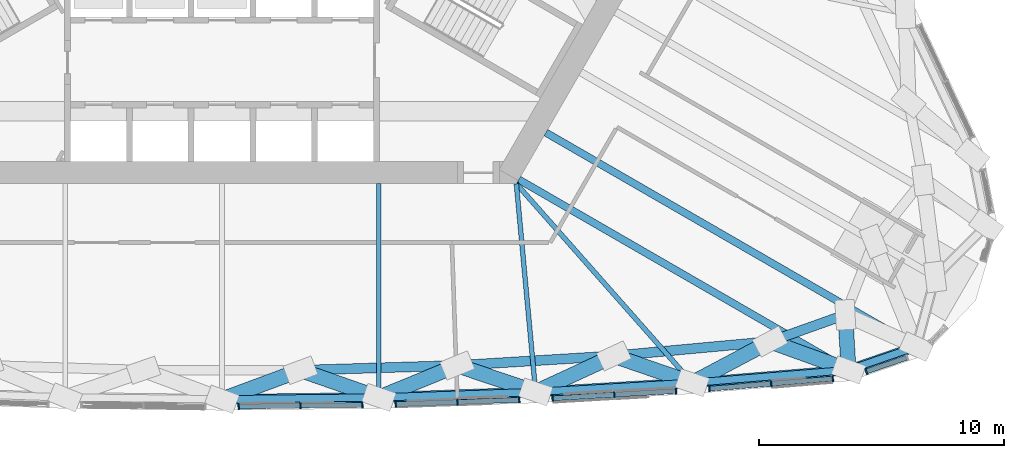
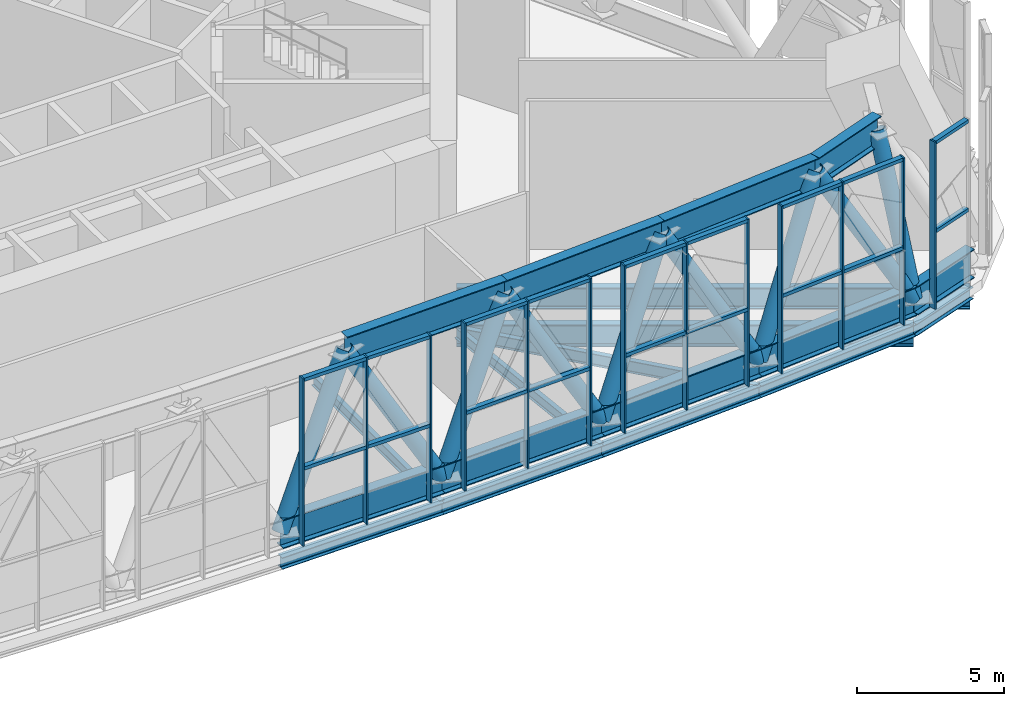
# One storey, part 5 of 33: 49 members, 10 beams, 2 elements without a shape of their own.
"""IFC4 building model written with IfcOpenShell, lengths in metres."""

from ifc_helpers import new_model, si_unit, direction, frame, origin, origin_2d, place, context, subcontext, project, spatial, rectangle, hollow_circle, i_section, extrude, material, material_profile, profile_set, type_object, element, aggregate, save


model = new_model("IFC4")

# Units and contexts
model_context = context("Model", 3, precision=1e-05, world=origin(), true_north=direction((0.0, 1.0)))
body_context = subcontext(model_context, "Body", "Model", "MODEL_VIEW")
ifc_project = project(units=[si_unit("LENGTHUNIT", "METRE"), si_unit("AREAUNIT", "SQUARE_METRE"), si_unit("VOLUMEUNIT", "CUBIC_METRE"), si_unit("PLANEANGLEUNIT", "RADIAN"), si_unit("MASSUNIT", "GRAM", prefix="KILO")], contexts=[model_context])

# Site, building, storey
site_placement = place(None, origin())
site = spatial("IfcSite", under=ifc_project, at=site_placement, CompositionType="ELEMENT")
building_placement = place(site_placement, origin())
building = spatial("IfcBuilding", under=site, at=building_placement, Name="Mestral Congress Tower", CompositionType="ELEMENT")
storey_placement = place(building_placement, frame((0.0, 0.0, 134.39990234375)))
storey = spatial("IfcBuildingStorey", under=building, at=storey_placement, Name="L32", CompositionType="ELEMENT", Elevation=134.39990234375)

# Members
ifc_material_1 = material(Name="Steel S355", Category="steel")
ifc_material_profile_1 = material_profile(ifc_material_1, i_section(OverallWidth=0.39990234375, OverallDepth=1.199951171875, WebThickness=0.02001953125, FlangeThickness=0.0400390625, FilletRadius=0.010009765625, at=origin_2d()), Name="WPG 1200")
ifc_profile_set_1 = profile_set([ifc_material_profile_1], Name="Steel S355")
member_type_1 = type_object("IfcMemberType", Name="Belt chord WPG 1200 S355", PredefinedType="CHORD", material=ifc_profile_set_1)
for number, where, z_axis, x_axis, name in (
    (1, (0.0, -21.793701171875, 0.60009765625), (0.999931419324, 0.011711389659, 0.0), (-0.011711389659, 0.999931419324, 0.0), "MB-L32-BC2-S04"),
    (2, (6.3994140625, -21.71875, 0.60009765625), (0.999385298652, 0.035057450548, 0.0), (-0.035057450548, 0.999385298652, 0.0), "MB-L32-BC2-S05"),
    (3, (12.79541015625, -21.494384765625, 0.60009765625), (0.998290777072, 0.058442488077, 0.0), (-0.058442488077, 0.998290777072, 0.0), "MB-L32-BC2-S06"),
    (4, (19.184326171875, -21.120361328125, 0.60009765625), (0.996652784164, 0.081751011118, 0.0), (-0.081751011118, 0.996652784164, 0.0), "MB-L32-BC2-S07"),
):
    element("IfcMember", number, at=place(storey_placement, frame(where, z_axis=z_axis, x_axis=x_axis)), inside=storey, type_object=member_type_1, Name=name, PredefinedType="CHORD", context=body_context, shape_type="SweptSolid", body=[
        extrude(i_section(OverallWidth=0.39990234375, OverallDepth=1.199951171875, WebThickness=0.02001953125, FlangeThickness=0.0400390625, FilletRadius=0.010009765625, at=origin_2d()), origin(), (0.0, 0.0, 1.0), 6.39990234375),
    ])
member_1_placement = place(storey_placement, frame((25.562744140625, -20.59716796875, 0.60009765625), z_axis=(0.945407528936, 0.32589047889, 0.0), x_axis=(-0.32589047889, 0.945407528936, 0.0)))
element("IfcMember", 5, at=member_1_placement, inside=storey, type_object=member_type_1, Name="MB-L32-BC2-S08", PredefinedType="CHORD", context=body_context, shape_type="SweptSolid", body=[
    extrude(i_section(OverallWidth=0.39990234375, OverallDepth=1.199951171875, WebThickness=0.02001953125, FlangeThickness=0.0400390625, FilletRadius=0.010009765625, at=origin_2d()), origin(), (0.0, 0.0, 1.0), 2.928466796875),
])
member_2_placement = place(storey_placement, frame((3.199951171875, -20.608154296875, 6.35009765625), z_axis=(0.999534187957, 0.030518963031, 0.0), x_axis=(-0.030518963031, 0.999534187957, 0.0)))
element("IfcMember", 6, at=member_2_placement, inside=storey, type_object=member_type_1, Name="MB-L32-TC2-S04", PredefinedType="CHORD", context=body_context, shape_type="SweptSolid", body=[
    extrude(i_section(OverallWidth=0.39990234375, OverallDepth=1.199951171875, WebThickness=0.02001953125, FlangeThickness=0.0400390625, FilletRadius=0.010009765625, at=origin_2d()), origin(), (0.0, 0.0, 1.0), 6.399658203125),
])
member_3_placement = place(storey_placement, frame((9.5966796875, -20.412841796875, 6.35009765625), z_axis=(0.998137865433, 0.060998373661, 0.0), x_axis=(-0.060998373661, 0.998137865433, 0.0)))
element("IfcMember", 7, at=member_3_placement, inside=storey, type_object=member_type_1, Name="MB-L32-TC2-S05", PredefinedType="CHORD", context=body_context, shape_type="SweptSolid", body=[
    extrude(i_section(OverallWidth=0.39990234375, OverallDepth=1.199951171875, WebThickness=0.02001953125, FlangeThickness=0.0400390625, FilletRadius=0.010009765625, at=origin_2d()), origin(), (0.0, 0.0, 1.0), 6.39990234375),
])
member_4_placement = place(storey_placement, frame((15.984619140625, -20.0224609375, 6.35009765625), z_axis=(0.995810239959, 0.09144378597, 0.0), x_axis=(-0.09144378597, 0.995810239959, 0.0)))
element("IfcMember", 8, at=member_4_placement, inside=storey, type_object=member_type_1, Name="MB-L32-TC2-S06", PredefinedType="CHORD", context=body_context, shape_type="SweptSolid", body=[
    extrude(i_section(OverallWidth=0.39990234375, OverallDepth=1.199951171875, WebThickness=0.02001953125, FlangeThickness=0.0400390625, FilletRadius=0.010009765625, at=origin_2d()), origin(), (0.0, 0.0, 1.0), 6.399658203125),
])
member_5_placement = place(storey_placement, frame((22.357421875, -19.437255859375, 6.35009765625), z_axis=(0.942103834289, 0.335321286855, 0.0), x_axis=(-0.335321286855, 0.942103834289, 0.0)))
element("IfcMember", 9, at=member_5_placement, inside=storey, type_object=member_type_1, Name="MB-L32-TC2-S07", PredefinedType="CHORD", context=body_context, shape_type="SweptSolid", body=[
    extrude(i_section(OverallWidth=0.39990234375, OverallDepth=1.199951171875, WebThickness=0.02001953125, FlangeThickness=0.0400390625, FilletRadius=0.010009765625, at=origin_2d()), origin(), (0.0, 0.0, 1.0), 3.260986328125),
])
ifc_material_profile_2 = material_profile(ifc_material_1, hollow_circle(Radius=0.304931640625, WallThickness=0.02490234375, at=origin_2d()), Name="CHS 610x25")
ifc_profile_set_2 = profile_set([ifc_material_profile_2], Name="Steel S355")
member_type_2 = type_object("IfcMemberType", Name="Belt diagonal CHS 610x25 S355", PredefinedType="BRACE", material=ifc_profile_set_2)
member_6_placement = place(storey_placement, frame((0.0, -21.793701171875, 0.60009765625), z_axis=(0.478577354036, 0.177307670039, 0.859956804932), x_axis=(-0.347412218377, 0.937712509527, 0.0)))
element("IfcMember", 10, at=member_6_placement, inside=storey, type_object=member_type_2, Name="MD-L32-BD2-S04.S04", PredefinedType="BRACE", context=body_context, shape_type="SweptSolid", body=[
    extrude(hollow_circle(Radius=0.304931640625, WallThickness=0.02490234375, at=origin_2d()), origin(), (0.0, 0.0, 1.0), 6.686279296875),
])
member_7_placement = place(storey_placement, frame((6.3994140625, -21.71875, 0.60009765625), z_axis=(-0.479444796179, 0.166424599604, 0.86164699272), x_axis=(-0.327925019052, -0.944703753501, 0.0)))
element("IfcMember", 11, at=member_7_placement, inside=storey, type_object=member_type_2, Name="MD-L32-BD2-S05.S04", PredefinedType="BRACE", context=body_context, shape_type="SweptSolid", body=[
    extrude(hollow_circle(Radius=0.304931640625, WallThickness=0.02490234375, at=origin_2d()), origin(), (0.0, 0.0, 1.0), 6.67333984375),
])
member_8_placement = place(storey_placement, frame((6.3994140625, -21.71875, 0.60009765625), z_axis=(0.476671046604, 0.194694061415, 0.857250800979), x_axis=(-0.378120817023, 0.925756257194, 0.0)))
element("IfcMember", 12, at=member_8_placement, inside=storey, type_object=member_type_2, Name="MD-L32-BD2-S05.S05", PredefinedType="BRACE", context=body_context, shape_type="SweptSolid", body=[
    extrude(hollow_circle(Radius=0.304931640625, WallThickness=0.02490234375, at=origin_2d()), origin(), (0.0, 0.0, 1.0), 6.70751953125),
])
member_9_placement = place(storey_placement, frame((12.79541015625, -21.494384765625, 0.60009765625), z_axis=(-0.47970344392, 0.162195562248, 0.862309228455), x_axis=(-0.320302739468, -0.94731523533, 0.0)))
element("IfcMember", 13, at=member_9_placement, inside=storey, type_object=member_type_2, Name="MD-L32-BD2-S06.S05", PredefinedType="BRACE", context=body_context, shape_type="SweptSolid", body=[
    extrude(hollow_circle(Radius=0.304931640625, WallThickness=0.02490234375, at=origin_2d()), origin(), (0.0, 0.0, 1.0), 6.668212890625),
])
member_10_placement = place(storey_placement, frame((12.79541015625, -21.494384765625, 0.60009765625), z_axis=(0.473319621575, 0.218452422757, 0.853373936105), x_axis=(-0.419053769737, 0.907961418822, 0.0)))
element("IfcMember", 14, at=member_10_placement, inside=storey, type_object=member_type_2, Name="MD-L32-BD2-S06.S06", PredefinedType="BRACE", context=body_context, shape_type="SweptSolid", body=[
    extrude(hollow_circle(Radius=0.304931640625, WallThickness=0.02490234375, at=origin_2d()), origin(), (0.0, 0.0, 1.0), 6.738037109375),
])
member_11_placement = place(storey_placement, frame((19.184326171875, -21.120361328125, 0.60009765625), z_axis=(-0.479623974182, 0.164571113375, 0.861903238207), x_axis=(-0.324551264958, -0.945868107304, 0.0)))
element("IfcMember", 15, at=member_11_placement, inside=storey, type_object=member_type_2, Name="MD-L32-BD2-S07.S06", PredefinedType="BRACE", context=body_context, shape_type="SweptSolid", body=[
    extrude(hollow_circle(Radius=0.304931640625, WallThickness=0.02490234375, at=origin_2d()), origin(), (0.0, 0.0, 1.0), 6.67138671875),
])
member_12_placement = place(storey_placement, frame((19.184326171875, -21.120361328125, 0.60009765625), z_axis=(0.468031224917, 0.248257849087, 0.848124290932), x_axis=(-0.468590242966, 0.88341563502, 0.0)))
element("IfcMember", 16, at=member_12_placement, inside=storey, type_object=member_type_2, Name="MD-L32-BD2-S07.S07", PredefinedType="BRACE", context=body_context, shape_type="SweptSolid", body=[
    extrude(hollow_circle(Radius=0.304931640625, WallThickness=0.02490234375, at=origin_2d()), origin(), (0.0, 0.0, 1.0), 6.77978515625),
])
member_13_placement = place(storey_placement, frame((25.562744140625, -20.59716796875, 0.60009765625), z_axis=(-0.479518604565, 0.173523717746, 0.860204293907), x_axis=(-0.340276225372, -0.94032552366, 0.0)))
element("IfcMember", 17, at=member_13_placement, inside=storey, type_object=member_type_2, Name="MD-L32-BD2-S08.S07", PredefinedType="BRACE", context=body_context, shape_type="SweptSolid", body=[
    extrude(hollow_circle(Radius=0.304931640625, WallThickness=0.02490234375, at=origin_2d()), origin(), (0.0, 0.0, 1.0), 6.6845703125),
])
member_14_placement = place(storey_placement, frame((25.562744140625, -20.59716796875, 0.60009765625), z_axis=(-0.021539876191, 0.364794600441, 0.930838833108), x_axis=(-0.998261295445, -0.058943922645, 0.0)))
element("IfcMember", 18, at=member_14_placement, inside=storey, type_object=member_type_2, Name="MD-L32-BD2-S08.SE1", PredefinedType="BRACE", context=body_context, shape_type="SweptSolid", body=[
    extrude(hollow_circle(Radius=0.304931640625, WallThickness=0.02490234375, at=origin_2d()), origin(), (0.0, 0.0, 1.0), 6.17724609375),
])

# Curtain wall, members
ifc_material_2 = material(Name="Clear low-emissivity double glazing", Category="glass")
curtain_wall_type = type_object("IfcCurtainWallType", Name="Facade sky lobby curtain wall", PredefinedType="USERDEFINED", material=ifc_material_2)
placement = place(storey_placement, origin())
curtain_wall_1 = element("IfcCurtainWall", 19, at=placement, inside=storey, type_object=curtain_wall_type, Name="Facade sky lobby curtain wall face 1", ObjectType="CURTAIN WALL", PredefinedType="USERDEFINED")
ifc_material_3 = material(Name="Anodised aluminium", Category="aluminium")
ifc_material_profile_3 = material_profile(ifc_material_3, rectangle(XDim=0.25, YDim=0.06005859375, at=origin_2d()), Name="CW1 mullion 250 x 60")
ifc_profile_set_3 = profile_set([ifc_material_profile_3], Name="Anodised aluminium")
member_type_3 = type_object("IfcMemberType", Name="Facade sky lobby curtain wall mullion", PredefinedType="MULLION", material=ifc_profile_set_3)
member_15_placement = place(storey_placement, frame((0.68310546875, -22.085693359375, 0.0), z_axis=(0.0, 0.0, 1.0), x_axis=(0.011700420325, -0.999931547739, 0.0)))
member_15 = element("IfcMember", 20, at=member_15_placement, type_object=member_type_3, Name="Facade sky lobby curtain wall mullion", PredefinedType="MULLION", context=body_context, shape_type="SweptSolid", body=[
    extrude(rectangle(XDim=0.25, YDim=0.06005859375, at=origin_2d()), origin(), (0.0, 0.0, 1.0), 6.9501953125),
])
member_16_placement = place(storey_placement, frame((3.203125, -22.05615234375, 0.0), z_axis=(0.0, 0.0, 1.0), x_axis=(0.011700420325, -0.999931547739, 0.0)))
member_16 = element("IfcMember", 21, at=member_16_placement, type_object=member_type_3, Name="Facade sky lobby curtain wall mullion", PredefinedType="MULLION", context=body_context, shape_type="SweptSolid", body=[
    extrude(rectangle(XDim=0.25, YDim=0.06005859375, at=origin_2d()), origin(), (0.0, 0.0, 1.0), 6.9501953125),
])
member_17_placement = place(storey_placement, frame((5.72314453125, -22.026611328125, 0.0), z_axis=(0.0, 0.0, 1.0), x_axis=(0.011700420325, -0.999931547739, 0.0)))
member_17 = element("IfcMember", 22, at=member_17_placement, type_object=member_type_3, Name="Facade sky lobby curtain wall mullion", PredefinedType="MULLION", context=body_context, shape_type="SweptSolid", body=[
    extrude(rectangle(XDim=0.25, YDim=0.06005859375, at=origin_2d()), origin(), (0.0, 0.0, 1.0), 6.9501953125),
])
member_18_placement = place(storey_placement, frame((7.089111328125, -21.994873046875, 0.0), z_axis=(0.0, 0.0, 1.0), x_axis=(0.035066945752, -0.999384965524, 0.0)))
member_18 = element("IfcMember", 23, at=member_18_placement, type_object=member_type_3, Name="Facade sky lobby curtain wall mullion", PredefinedType="MULLION", context=body_context, shape_type="SweptSolid", body=[
    extrude(rectangle(XDim=0.25, YDim=0.06005859375, at=origin_2d()), origin(), (0.0, 0.0, 1.0), 6.9501953125),
])
member_19_placement = place(storey_placement, frame((9.60791015625, -21.906494140625, 0.0), z_axis=(0.0, 0.0, 1.0), x_axis=(0.035066945752, -0.999384965524, 0.0)))
member_19 = element("IfcMember", 24, at=member_19_placement, type_object=member_type_3, Name="Facade sky lobby curtain wall mullion", PredefinedType="MULLION", context=body_context, shape_type="SweptSolid", body=[
    extrude(rectangle(XDim=0.25, YDim=0.06005859375, at=origin_2d()), origin(), (0.0, 0.0, 1.0), 6.9501953125),
])
member_20_placement = place(storey_placement, frame((12.126708984375, -21.818115234375, 0.0), z_axis=(0.0, 0.0, 1.0), x_axis=(0.035066945752, -0.999384965524, 0.0)))
member_20 = element("IfcMember", 25, at=member_20_placement, type_object=member_type_3, Name="Facade sky lobby curtain wall mullion", PredefinedType="MULLION", context=body_context, shape_type="SweptSolid", body=[
    extrude(rectangle(XDim=0.25, YDim=0.06005859375, at=origin_2d()), origin(), (0.0, 0.0, 1.0), 6.9501953125),
])
member_21_placement = place(storey_placement, frame((13.491455078125, -21.754150390625, 0.0), z_axis=(0.0, 0.0, 1.0), x_axis=(0.058436964865, -0.9982911004, 0.0)))
member_21 = element("IfcMember", 26, at=member_21_placement, type_object=member_type_3, Name="Facade sky lobby curtain wall mullion", PredefinedType="MULLION", context=body_context, shape_type="SweptSolid", body=[
    extrude(rectangle(XDim=0.25, YDim=0.06005859375, at=origin_2d()), origin(), (0.0, 0.0, 1.0), 6.9501953125),
])
member_22_placement = place(storey_placement, frame((16.00732421875, -21.60693359375, 0.0), z_axis=(0.0, 0.0, 1.0), x_axis=(0.058436964865, -0.9982911004, 0.0)))
member_22 = element("IfcMember", 27, at=member_22_placement, type_object=member_type_3, Name="Facade sky lobby curtain wall mullion", PredefinedType="MULLION", context=body_context, shape_type="SweptSolid", body=[
    extrude(rectangle(XDim=0.25, YDim=0.06005859375, at=origin_2d()), origin(), (0.0, 0.0, 1.0), 6.9501953125),
])
member_23_placement = place(storey_placement, frame((18.523193359375, -21.459716796875, 0.0), z_axis=(0.0, 0.0, 1.0), x_axis=(0.058436964865, -0.9982911004, 0.0)))
member_23 = element("IfcMember", 28, at=member_23_placement, type_object=member_type_3, Name="Facade sky lobby curtain wall mullion", PredefinedType="MULLION", context=body_context, shape_type="SweptSolid", body=[
    extrude(rectangle(XDim=0.25, YDim=0.06005859375, at=origin_2d()), origin(), (0.0, 0.0, 1.0), 6.9501953125),
])
member_24_placement = place(storey_placement, frame((19.88623046875, -21.36376953125, 0.0), z_axis=(0.0, 0.0, 1.0), x_axis=(0.081757603401, -0.996652243406, 0.0)))
member_24 = element("IfcMember", 29, at=member_24_placement, type_object=member_type_3, Name="Facade sky lobby curtain wall mullion", PredefinedType="MULLION", context=body_context, shape_type="SweptSolid", body=[
    extrude(rectangle(XDim=0.25, YDim=0.06005859375, at=origin_2d()), origin(), (0.0, 0.0, 1.0), 6.9501953125),
])
member_25_placement = place(storey_placement, frame((22.401123046875, -21.157470703125, 0.0), z_axis=(0.0, 0.0, 1.0), x_axis=(0.081757603401, -0.996652243406, 0.0)))
member_25 = element("IfcMember", 30, at=member_25_placement, type_object=member_type_3, Name="Facade sky lobby curtain wall mullion", PredefinedType="MULLION", context=body_context, shape_type="SweptSolid", body=[
    extrude(rectangle(XDim=0.25, YDim=0.06005859375, at=origin_2d()), origin(), (0.0, 0.0, 1.0), 6.9501953125),
])
member_26_placement = place(storey_placement, frame((24.916015625, -20.951171875, 0.0), z_axis=(0.0, 0.0, 1.0), x_axis=(0.081757603401, -0.996652243406, 0.0)))
member_26 = element("IfcMember", 31, at=member_26_placement, type_object=member_type_3, Name="Facade sky lobby curtain wall mullion", PredefinedType="MULLION", context=body_context, shape_type="SweptSolid", body=[
    extrude(rectangle(XDim=0.25, YDim=0.06005859375, at=origin_2d()), origin(), (0.0, 0.0, 1.0), 6.9501953125),
])

# Curtain wall, member
curtain_wall_2 = element("IfcCurtainWall", 32, at=placement, inside=storey, type_object=curtain_wall_type, Name="Facade sky lobby curtain wall corner 1", ObjectType="CURTAIN WALL", PredefinedType="USERDEFINED")
member_27_placement = place(storey_placement, frame((26.28759765625, -20.66455078125, 0.0), z_axis=(0.0, 0.0, 1.0), x_axis=(0.325886632538, -0.9454088548, 0.0)))
member_27 = element("IfcMember", 33, at=member_27_placement, type_object=member_type_3, Name="Facade sky lobby curtain wall mullion", PredefinedType="MULLION", context=body_context, shape_type="SweptSolid", body=[
    extrude(rectangle(XDim=0.25, YDim=0.06005859375, at=origin_2d()), origin(), (0.0, 0.0, 1.0), 6.9501953125),
])

# Member
ifc_material_profile_4 = material_profile(ifc_material_3, rectangle(XDim=0.199951171875, YDim=0.139892578125, at=origin_2d()), Name="CW1 transom 200 x 140")
ifc_profile_set_4 = profile_set([ifc_material_profile_4], Name="Anodised aluminium")
member_type_4 = type_object("IfcMemberType", Name="Facade sky lobby curtain wall transom", PredefinedType="USERDEFINED", material=ifc_profile_set_4)
member_28_placement = place(storey_placement, frame((0.713134765625, -22.085205078125, 3.2001953125), z_axis=(0.99993259044, 0.011610967952, 0.0), x_axis=(-0.011610967952, 0.99993259044, 0.0)))
member_28 = element("IfcMember", 34, at=member_28_placement, type_object=member_type_4, Name="Facade sky lobby curtain wall transom", ObjectType="TRANSOM", PredefinedType="USERDEFINED", context=body_context, shape_type="SweptSolid", body=[
    extrude(rectangle(XDim=0.199951171875, YDim=0.139892578125, at=origin_2d()), origin(), (0.0, 0.0, 1.0), 2.460205078125),
])

member_29_placement = place(storey_placement, frame((0.713134765625, -22.085205078125, 6.880126953125), z_axis=(0.99993259044, 0.011610967952, 0.0), x_axis=(-0.011610967952, 0.99993259044, 0.0)))
member_29 = element("IfcMember", 35, at=member_29_placement, type_object=member_type_4, Name="Facade sky lobby curtain wall transom", ObjectType="TRANSOM", PredefinedType="USERDEFINED", context=body_context, shape_type="SweptSolid", body=[
    extrude(rectangle(XDim=0.199951171875, YDim=0.139892578125, at=origin_2d()), origin(), (0.0, 0.0, 1.0), 2.460205078125),
])

member_30_placement = place(storey_placement, frame((3.233154296875, -22.055908203125, 3.2001953125), z_axis=(0.999931433334, 0.011710193443, 0.0), x_axis=(-0.011710193443, 0.999931433334, 0.0)))
member_30 = element("IfcMember", 36, at=member_30_placement, type_object=member_type_4, Name="Facade sky lobby curtain wall transom", ObjectType="TRANSOM", PredefinedType="USERDEFINED", context=body_context, shape_type="SweptSolid", body=[
    extrude(rectangle(XDim=0.199951171875, YDim=0.139892578125, at=origin_2d()), origin(), (0.0, 0.0, 1.0), 2.460205078125),
])

member_31_placement = place(storey_placement, frame((3.233154296875, -22.055908203125, 6.880126953125), z_axis=(0.999931433334, 0.011710193443, 0.0), x_axis=(-0.011710193443, 0.999931433334, 0.0)))
member_31 = element("IfcMember", 37, at=member_31_placement, type_object=member_type_4, Name="Facade sky lobby curtain wall transom", ObjectType="TRANSOM", PredefinedType="USERDEFINED", context=body_context, shape_type="SweptSolid", body=[
    extrude(rectangle(XDim=0.199951171875, YDim=0.139892578125, at=origin_2d()), origin(), (0.0, 0.0, 1.0), 2.460205078125),
])

member_32_placement = place(storey_placement, frame((7.119140625, -21.99365234375, 3.2001953125), z_axis=(0.999386274351, 0.035029625146, 0.0), x_axis=(-0.035029625146, 0.999386274351, 0.0)))
member_32 = element("IfcMember", 38, at=member_32_placement, type_object=member_type_4, Name="Facade sky lobby curtain wall transom", ObjectType="TRANSOM", PredefinedType="USERDEFINED", context=body_context, shape_type="SweptSolid", body=[
    extrude(rectangle(XDim=0.199951171875, YDim=0.139892578125, at=origin_2d()), origin(), (0.0, 0.0, 1.0), 2.460205078125),
])

member_33_placement = place(storey_placement, frame((7.119140625, -21.99365234375, 6.880126953125), z_axis=(0.999386274351, 0.035029625146, 0.0), x_axis=(-0.035029625146, 0.999386274351, 0.0)))
member_33 = element("IfcMember", 39, at=member_33_placement, type_object=member_type_4, Name="Facade sky lobby curtain wall transom", ObjectType="TRANSOM", PredefinedType="USERDEFINED", context=body_context, shape_type="SweptSolid", body=[
    extrude(rectangle(XDim=0.199951171875, YDim=0.139892578125, at=origin_2d()), origin(), (0.0, 0.0, 1.0), 2.460205078125),
])

member_34_placement = place(storey_placement, frame((9.637939453125, -21.9052734375, 3.2001953125), z_axis=(0.999386274351, 0.035029625146, 0.0), x_axis=(-0.035029625146, 0.999386274351, 0.0)))
member_34 = element("IfcMember", 40, at=member_34_placement, type_object=member_type_4, Name="Facade sky lobby curtain wall transom", ObjectType="TRANSOM", PredefinedType="USERDEFINED", context=body_context, shape_type="SweptSolid", body=[
    extrude(rectangle(XDim=0.199951171875, YDim=0.139892578125, at=origin_2d()), origin(), (0.0, 0.0, 1.0), 2.460205078125),
])

member_35_placement = place(storey_placement, frame((9.637939453125, -21.9052734375, 6.880126953125), z_axis=(0.999386274351, 0.035029625146, 0.0), x_axis=(-0.035029625146, 0.999386274351, 0.0)))
member_35 = element("IfcMember", 41, at=member_35_placement, type_object=member_type_4, Name="Facade sky lobby curtain wall transom", ObjectType="TRANSOM", PredefinedType="USERDEFINED", context=body_context, shape_type="SweptSolid", body=[
    extrude(rectangle(XDim=0.199951171875, YDim=0.139892578125, at=origin_2d()), origin(), (0.0, 0.0, 1.0), 2.460205078125),
])

member_36_placement = place(storey_placement, frame((13.521484375, -21.75244140625, 3.2001953125), z_axis=(0.998290079372, 0.058454404687, 0.0), x_axis=(-0.058454404687, 0.998290079372, 0.0)))
member_36 = element("IfcMember", 42, at=member_36_placement, type_object=member_type_4, Name="Facade sky lobby curtain wall transom", ObjectType="TRANSOM", PredefinedType="USERDEFINED", context=body_context, shape_type="SweptSolid", body=[
    extrude(rectangle(XDim=0.199951171875, YDim=0.139892578125, at=origin_2d()), origin(), (0.0, 0.0, 1.0), 2.4599609375),
])

member_37_placement = place(storey_placement, frame((13.521484375, -21.75244140625, 6.880126953125), z_axis=(0.998290079372, 0.058454404687, 0.0), x_axis=(-0.058454404687, 0.998290079372, 0.0)))
member_37 = element("IfcMember", 43, at=member_37_placement, type_object=member_type_4, Name="Facade sky lobby curtain wall transom", ObjectType="TRANSOM", PredefinedType="USERDEFINED", context=body_context, shape_type="SweptSolid", body=[
    extrude(rectangle(XDim=0.199951171875, YDim=0.139892578125, at=origin_2d()), origin(), (0.0, 0.0, 1.0), 2.4599609375),
])

member_38_placement = place(storey_placement, frame((16.037353515625, -21.60498046875, 3.2001953125), z_axis=(0.998290418428, 0.058448613962, 0.0), x_axis=(-0.058448613962, 0.998290418428, 0.0)))
member_38 = element("IfcMember", 44, at=member_38_placement, type_object=member_type_4, Name="Facade sky lobby curtain wall transom", ObjectType="TRANSOM", PredefinedType="USERDEFINED", context=body_context, shape_type="SweptSolid", body=[
    extrude(rectangle(XDim=0.199951171875, YDim=0.139892578125, at=origin_2d()), origin(), (0.0, 0.0, 1.0), 2.460205078125),
])

member_39_placement = place(storey_placement, frame((16.037353515625, -21.60498046875, 6.880126953125), z_axis=(0.998290418428, 0.058448613962, 0.0), x_axis=(-0.058448613962, 0.998290418428, 0.0)))
member_39 = element("IfcMember", 45, at=member_39_placement, type_object=member_type_4, Name="Facade sky lobby curtain wall transom", ObjectType="TRANSOM", PredefinedType="USERDEFINED", context=body_context, shape_type="SweptSolid", body=[
    extrude(rectangle(XDim=0.199951171875, YDim=0.139892578125, at=origin_2d()), origin(), (0.0, 0.0, 1.0), 2.460205078125),
])

member_40_placement = place(storey_placement, frame((19.916015625, -21.361328125, 3.2001953125), z_axis=(0.996652228146, 0.081757789422, 0.0), x_axis=(-0.081757789422, 0.996652228146, 0.0)))
member_40 = element("IfcMember", 46, at=member_40_placement, type_object=member_type_4, Name="Facade sky lobby curtain wall transom", ObjectType="TRANSOM", PredefinedType="USERDEFINED", context=body_context, shape_type="SweptSolid", body=[
    extrude(rectangle(XDim=0.199951171875, YDim=0.139892578125, at=origin_2d()), origin(), (0.0, 0.0, 1.0), 2.463623046875),
])

member_41_placement = place(storey_placement, frame((19.916015625, -21.361328125, 6.880126953125), z_axis=(0.996652228146, 0.081757789422, 0.0), x_axis=(-0.081757789422, 0.996652228146, 0.0)))
member_41 = element("IfcMember", 47, at=member_41_placement, type_object=member_type_4, Name="Facade sky lobby curtain wall transom", ObjectType="TRANSOM", PredefinedType="USERDEFINED", context=body_context, shape_type="SweptSolid", body=[
    extrude(rectangle(XDim=0.199951171875, YDim=0.139892578125, at=origin_2d()), origin(), (0.0, 0.0, 1.0), 2.463623046875),
])

member_42_placement = place(storey_placement, frame((22.43115234375, -21.155029296875, 3.2001953125), z_axis=(0.996651565628, 0.081765865319, 0.0), x_axis=(-0.081765865319, 0.996651565628, 0.0)))
member_42 = element("IfcMember", 48, at=member_42_placement, type_object=member_type_4, Name="Facade sky lobby curtain wall transom", ObjectType="TRANSOM", PredefinedType="USERDEFINED", context=body_context, shape_type="SweptSolid", body=[
    extrude(rectangle(XDim=0.199951171875, YDim=0.139892578125, at=origin_2d()), origin(), (0.0, 0.0, 1.0), 2.46337890625),
])

member_43_placement = place(storey_placement, frame((22.43115234375, -21.155029296875, 6.880126953125), z_axis=(0.996651565628, 0.081765865319, 0.0), x_axis=(-0.081765865319, 0.996651565628, 0.0)))
member_43 = element("IfcMember", 49, at=member_43_placement, type_object=member_type_4, Name="Facade sky lobby curtain wall transom", ObjectType="TRANSOM", PredefinedType="USERDEFINED", context=body_context, shape_type="SweptSolid", body=[
    extrude(rectangle(XDim=0.199951171875, YDim=0.139892578125, at=origin_2d()), origin(), (0.0, 0.0, 1.0), 2.46337890625),
])

aggregate(curtain_wall_1, [member_15, member_16, member_17, member_28, member_29, member_30, member_31, member_18, member_19, member_20, member_32, member_33, member_34, member_35, member_21, member_22, member_23, member_36, member_37, member_38, member_39, member_24, member_25, member_26, member_40, member_41, member_42, member_43])

member_44_placement = place(storey_placement, frame((26.316162109375, -20.65478515625, 3.2001953125), z_axis=(0.945415726372, 0.325866697175, 0.0), x_axis=(-0.325866697175, 0.945415726372, 0.0)))
member_44 = element("IfcMember", 50, at=member_44_placement, type_object=member_type_4, Name="Facade sky lobby curtain wall transom", ObjectType="TRANSOM", PredefinedType="USERDEFINED", context=body_context, shape_type="SweptSolid", body=[
    extrude(rectangle(XDim=0.199951171875, YDim=0.139892578125, at=origin_2d()), origin(), (0.0, 0.0, 1.0), 1.69921875),
])

member_45_placement = place(storey_placement, frame((26.316162109375, -20.65478515625, 6.880126953125), z_axis=(0.945415726372, 0.325866697175, 0.0), x_axis=(-0.325866697175, 0.945415726372, 0.0)))
member_45 = element("IfcMember", 51, at=member_45_placement, type_object=member_type_4, Name="Facade sky lobby curtain wall transom", ObjectType="TRANSOM", PredefinedType="USERDEFINED", context=body_context, shape_type="SweptSolid", body=[
    extrude(rectangle(XDim=0.199951171875, YDim=0.139892578125, at=origin_2d()), origin(), (0.0, 0.0, 1.0), 1.69921875),
])

aggregate(curtain_wall_2, [member_27, member_44, member_45])

# Beams
ifc_material_profile_5 = material_profile(ifc_material_1, i_section(OverallWidth=0.300048828125, OverallDepth=0.89990234375, WebThickness=0.0185546875, FlangeThickness=0.034912109375, FilletRadius=0.030029296875, at=origin_2d()), Name="HEB 900")
ifc_profile_set_5 = profile_set([ifc_material_profile_5], Name="Steel S355")
beam_type_1 = type_object("IfcBeamType", Name="Floor beam HEB 900 S355", PredefinedType="BEAM", material=ifc_profile_set_5)
beam_1_placement = place(storey_placement, frame((25.562744140625, -20.59716796875, -0.849853515625), z_axis=(-0.866024914115, 0.500000848131, 0.0), x_axis=(-0.500000848131, -0.866024914115, 0.0)))
element("IfcBeam", 52, at=beam_1_placement, inside=storey, type_object=beam_type_1, Name="BM-L32-RB2-S08", PredefinedType="BEAM", context=body_context, shape_type="SweptSolid", body=[
    extrude(i_section(OverallWidth=0.300048828125, OverallDepth=0.89990234375, WebThickness=0.0185546875, FlangeThickness=0.034912109375, FilletRadius=0.030029296875, at=origin_2d()), origin(), (0.0, 0.0, 1.0), 15.53662109375),
])
beam_2_placement = place(storey_placement, frame((28.331298828125, -19.642822265625, -0.849853515625), z_axis=(-0.866024423162, 0.500001698484, 0.0), x_axis=(-0.500001698484, -0.866024423162, 0.0)))
element("IfcBeam", 53, at=beam_2_placement, inside=storey, type_object=beam_type_1, Name="BM-L32-RB2-SE1", PredefinedType="BEAM", context=body_context, shape_type="SweptSolid", body=[
    extrude(i_section(OverallWidth=0.300048828125, OverallDepth=0.89990234375, WebThickness=0.0185546875, FlangeThickness=0.034912109375, FilletRadius=0.030029296875, at=origin_2d()), origin(), (0.0, 0.0, 1.0), 17.45703125),
])
ifc_material_profile_6 = material_profile(ifc_material_1, i_section(OverallWidth=0.18994140625, OverallDepth=0.449951171875, WebThickness=0.009521484375, FlangeThickness=0.0146484375, FilletRadius=0.02099609375, at=origin_2d()), Name="IPE 450")
ifc_profile_set_6 = profile_set([ifc_material_profile_6], Name="Steel S355")
beam_type_2 = type_object("IfcBeamType", Name="Floor beam IPE 450 S355", PredefinedType="BEAM", material=ifc_profile_set_6)
beam_3_placement = place(storey_placement, frame((6.3994140625, -21.71875, -0.625), z_axis=(0.0, 1.0, 0.0), x_axis=(-1.0, 0.0, 0.0)))
element("IfcBeam", 54, at=beam_3_placement, inside=storey, type_object=beam_type_2, Name="BM-L32-RB2-S05", PredefinedType="BEAM", context=body_context, shape_type="SweptSolid", body=[
    extrude(i_section(OverallWidth=0.18994140625, OverallDepth=0.449951171875, WebThickness=0.009521484375, FlangeThickness=0.0146484375, FilletRadius=0.02099609375, at=origin_2d()), origin(), (0.0, 0.0, 1.0), 8.71875),
])
beam_4_placement = place(storey_placement, frame((12.79541015625, -21.494384765625, -0.625), z_axis=(-0.092210296494, 0.995739554914, 0.0), x_axis=(-0.995739554914, -0.092210296494, 0.0)))
element("IfcBeam", 55, at=beam_4_placement, inside=storey, type_object=beam_type_2, Name="BM-L32-RB2-S06", PredefinedType="BEAM", context=body_context, shape_type="SweptSolid", body=[
    extrude(i_section(OverallWidth=0.18994140625, OverallDepth=0.449951171875, WebThickness=0.009521484375, FlangeThickness=0.0146484375, FilletRadius=0.02099609375, at=origin_2d()), origin(), (0.0, 0.0, 1.0), 8.53076171875),
])
ifc_material_profile_7 = material_profile(ifc_material_1, i_section(OverallWidth=0.199951171875, OverallDepth=0.5, WebThickness=0.01025390625, FlangeThickness=0.01611328125, FilletRadius=0.02099609375, at=origin_2d()), Name="IPE 500")
ifc_profile_set_7 = profile_set([ifc_material_profile_7], Name="Steel S355")
beam_type_3 = type_object("IfcBeamType", Name="Floor beam IPE 500 S355", PredefinedType="BEAM", material=ifc_profile_set_7)
beam_5_placement = place(storey_placement, frame((19.184326171875, -21.120361328125, -0.64990234375), z_axis=(-0.662166905822, 0.749356383061, 0.0), x_axis=(-0.749356383061, -0.662166905822, 0.0)))
element("IfcBeam", 56, at=beam_5_placement, inside=storey, type_object=beam_type_3, Name="BM-L32-RB2-S07", PredefinedType="BEAM", context=body_context, shape_type="SweptSolid", body=[
    extrude(i_section(OverallWidth=0.199951171875, OverallDepth=0.5, WebThickness=0.01025390625, FlangeThickness=0.01611328125, FilletRadius=0.02099609375, at=origin_2d()), origin(), (0.0, 0.0, 1.0), 10.83642578125),
])
ifc_material_profile_8 = material_profile(ifc_material_1, i_section(OverallWidth=0.300048828125, OverallDepth=0.489990234375, WebThickness=0.011962890625, FlangeThickness=0.02294921875, FilletRadius=0.027099609375, at=origin_2d()), Name="HEA 500")
ifc_profile_set_8 = profile_set([ifc_material_profile_8], Name="Steel S355")
beam_type_4 = type_object("IfcBeamType", Name="Spandrel beam HEA 500 S355", PredefinedType="BEAM", material=ifc_profile_set_8)
for number, where, z_axis, x_axis, name in (
    (57, (0.0, -21.793701171875, -0.64501953125), (0.999931419324, 0.011711389659, 0.0), (-0.011711389659, 0.999931419324, 0.0), "SP-L32-SB2-S04"),
    (58, (6.3994140625, -21.71875, -0.64501953125), (0.999385298652, 0.035057450548, 0.0), (-0.035057450548, 0.999385298652, 0.0), "SP-L32-SB2-S05"),
    (59, (12.79541015625, -21.494384765625, -0.64501953125), (0.998290777072, 0.058442488077, 0.0), (-0.058442488077, 0.998290777072, 0.0), "SP-L32-SB2-S06"),
    (60, (19.184326171875, -21.120361328125, -0.64501953125), (0.996652784164, 0.081751011118, 0.0), (-0.081751011118, 0.996652784164, 0.0), "SP-L32-SB2-S07"),
):
    element("IfcBeam", number, at=place(storey_placement, frame(where, z_axis=z_axis, x_axis=x_axis)), inside=storey, type_object=beam_type_4, Name=name, PredefinedType="BEAM", context=body_context, shape_type="SweptSolid", body=[
        extrude(i_section(OverallWidth=0.300048828125, OverallDepth=0.489990234375, WebThickness=0.011962890625, FlangeThickness=0.02294921875, FilletRadius=0.027099609375, at=origin_2d()), origin(), (0.0, 0.0, 1.0), 6.39990234375),
    ])
beam_6_placement = place(storey_placement, frame((25.562744140625, -20.59716796875, -0.64501953125), z_axis=(0.945407528936, 0.32589047889, 0.0), x_axis=(-0.32589047889, 0.945407528936, 0.0)))
element("IfcBeam", 61, at=beam_6_placement, inside=storey, type_object=beam_type_4, Name="SP-L32-SB2-S08", PredefinedType="BEAM", context=body_context, shape_type="SweptSolid", body=[
    extrude(i_section(OverallWidth=0.300048828125, OverallDepth=0.489990234375, WebThickness=0.011962890625, FlangeThickness=0.02294921875, FilletRadius=0.027099609375, at=origin_2d()), origin(), (0.0, 0.0, 1.0), 2.928466796875),
])

save(model, "model.ifc")
